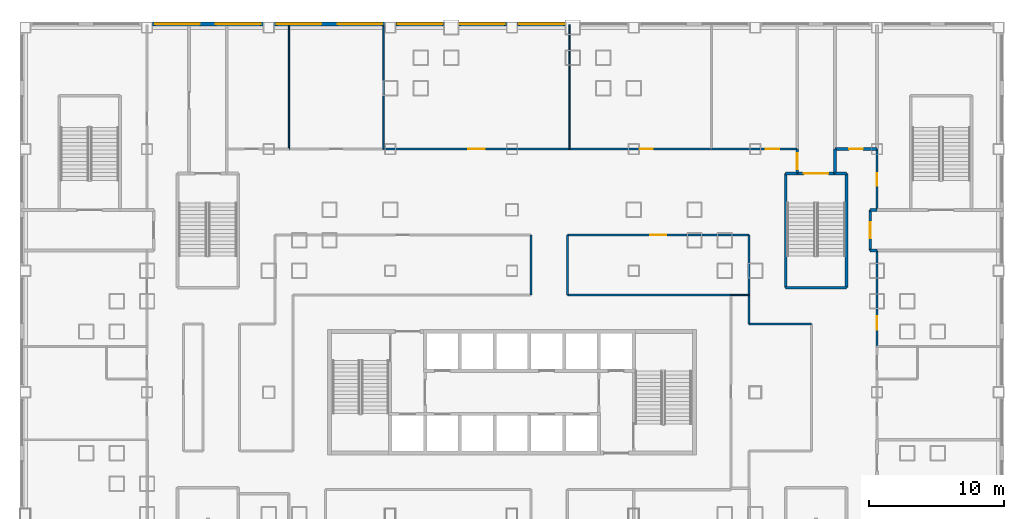
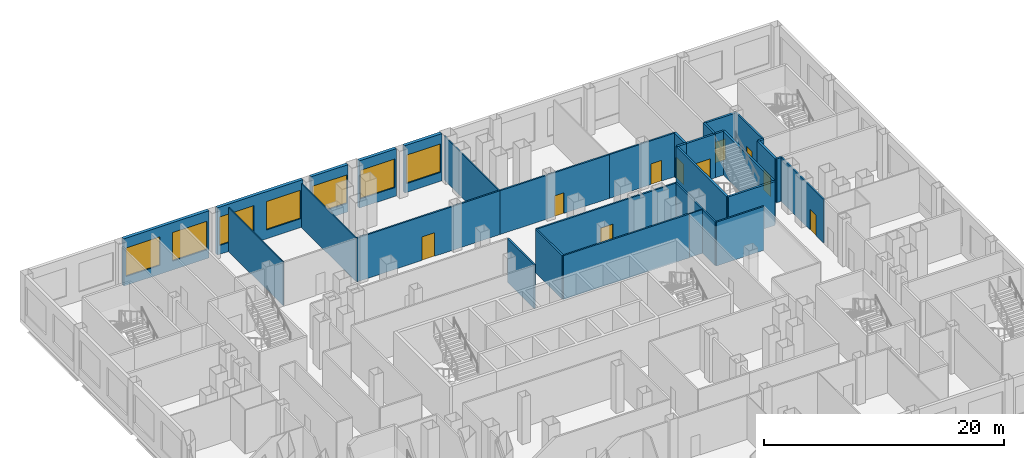
# One storey, part 7 of 23: 33 walls, 10 doors, 7 windows, 17 openings.
"""IFC4 building model written with IfcOpenShell, lengths in metres."""

from ifc_helpers import new_model, si_unit, direction, frame, frame_2d, origin, place, context, subcontext, project, spatial, rectangle, extrude, material, layer, layer_set, type_object, element, fill, save


model = new_model("IFC4")

# Units and contexts
model_context = context("Model", 3, precision=1e-05, world=origin(), true_north=direction((0.0, 1.0)))
body_context = subcontext(model_context, "Body", "Model", "MODEL_VIEW")
ifc_project = project(units=[si_unit("LENGTHUNIT", "METRE"), si_unit("AREAUNIT", "SQUARE_METRE"), si_unit("VOLUMEUNIT", "CUBIC_METRE"), si_unit("PLANEANGLEUNIT", "RADIAN"), si_unit("MASSUNIT", "GRAM", prefix="KILO")], contexts=[model_context])

# Site, building, storey
site_placement = place(None, origin())
site = spatial("IfcSite", under=ifc_project, at=site_placement, CompositionType="ELEMENT")
building_placement = place(site_placement, origin())
building = spatial("IfcBuilding", under=site, at=building_placement, Name="Caravel Reach Hotel and Residences", CompositionType="ELEMENT")
storey_placement = place(building_placement, frame((0.0, 0.0, 24.0)))
storey = spatial("IfcBuildingStorey", under=building, at=storey_placement, Name="L04", CompositionType="ELEMENT", Elevation=24.0)

# Walls
ifc_material_1 = material(Name="Autoclaved aerated block wall")
ifc_layer_1 = layer(ifc_material_1, 0.199951171875)
ifc_layer_set_1 = layer_set([ifc_layer_1], Name="Compartment wall 200 mm EI 120")
wall_type_1 = type_object("IfcWallType", Name="Compartment wall 200 mm EI 120", PredefinedType="PARTITIONING", material=ifc_layer_set_1)
for number, where, z_axis, x_axis, name in (
    (1, (58.0, 37.5, 0.0), (0.0, 0.0, 1.0), (1.0, 0.0, 0.0), "L04 wall w098"),
    (2, (58.0, 40.5, 0.0), (0.0, 0.0, 1.0), (1.0, 0.0, 0.0), "L04 wall w105"),
):
    element("IfcWall", number, at=place(storey_placement, frame(where, z_axis=z_axis, x_axis=x_axis)), inside=storey, type_object=wall_type_1, Name=name, PredefinedType="PARTITIONING", context=body_context, shape_type="SweptSolid", body=[
        extrude(rectangle(XDim=0.5, YDim=0.199951171875, at=frame_2d((0.25, 0.0))), origin(), (0.0, 0.0, 1.0), 4.449951171875),
    ])

# Wall, opening, door
wall_1_placement = place(storey_placement, frame((55.39990234375, 45.0, 0.0), z_axis=(0.0, 0.0, 1.0), x_axis=(1.0, 0.0, 0.0)))
wall_1 = element("IfcWall", 3, at=wall_1_placement, inside=storey, type_object=wall_type_1, Name="L04 wall w108", PredefinedType="PARTITIONING", context=body_context, shape_type="SweptSolid", body=[
    extrude(rectangle(XDim=3.10009765625, YDim=0.199951171875, at=frame_2d((1.550048828125, 0.0))), origin(), (0.0, 0.0, 1.0), 4.449951171875),
])
opening_1_placement = place(wall_1_placement, frame((1.050048828125, 0.0, 0.0)))
opening_1 = element("IfcOpeningElement", 4, at=opening_1_placement, cuts=wall_1, Name="Opening D04-055", PredefinedType="OPENING", context=body_context, shape_type="SweptSolid", body=[
    extrude(rectangle(XDim=1.0, YDim=2.10009765625, at=frame_2d((0.5, 1.050048828125))), frame((0.0, 0.10986328125, 0.0), z_axis=(0.0, -1.0, 0.0), x_axis=(1.0, 0.0, 0.0)), (0.0, 0.0, 1.0), 0.219970703125),
])
ifc_material_2 = material(Name="Steel fire door leaf", Category="steel")
door_type_1 = type_object("IfcDoorType", Name="Fire door 1000 x 2100 EI 60", OperationType="SINGLE_SWING_LEFT", PredefinedType="DOOR", material=ifc_material_2)
door_1_placement = place(opening_1_placement, origin())
door_1 = element("IfcDoor", 5, at=door_1_placement, inside=storey, type_object=door_type_1, Name="door D04-055", OperationType="SINGLE_SWING_LEFT", OverallHeight=2.10009765625, OverallWidth=1.0, PredefinedType="DOOR", context=body_context, shape_type="SweptSolid", body=[
    extrude(rectangle(XDim=1.0, YDim=2.10009765625, at=frame_2d((0.5, 1.050048828125))), frame((0.0, 0.02490234375, 0.0), z_axis=(0.0, -1.0, 0.0), x_axis=(1.0, 0.0, 0.0)), (0.0, 0.0, 1.0), 0.050048828125),
])
fill(opening_1, door_1)

wall_2_placement = place(storey_placement, frame((52.60009765625, 43.199951171875, 0.0), z_axis=(0.0, 0.0, 1.0), x_axis=(0.0, 1.0, 0.0)))
wall_2 = element("IfcWall", 6, at=wall_2_placement, inside=storey, type_object=wall_type_1, Name="L04 wall w116", PredefinedType="PARTITIONING", context=body_context, shape_type="SweptSolid", body=[
    extrude(rectangle(XDim=1.800048828125, YDim=0.199951171875, at=frame_2d((0.89990234375, 0.0))), origin(), (0.0, 0.0, 1.0), 4.449951171875),
])
opening_2_placement = place(wall_2_placement, frame((0.300048828125, 0.0, 0.0)))
opening_2 = element("IfcOpeningElement", 7, at=opening_2_placement, cuts=wall_2, Name="Opening D04-016", PredefinedType="OPENING", context=body_context, shape_type="SweptSolid", body=[
    extrude(rectangle(XDim=1.199951171875, YDim=2.10009765625, at=frame_2d((0.60009765625, 1.050048828125))), frame((0.0, 0.10986328125, 0.0), z_axis=(0.0, -1.0, 0.0), x_axis=(1.0, 0.0, 0.0)), (0.0, 0.0, 1.0), 0.219970703125),
])
ifc_material_3 = material(Name="Steel fire door leaf", Category="steel")
door_type_2 = type_object("IfcDoorType", Name="Fire lobby door 1200 x 2100 EI 90", OperationType="SINGLE_SWING_LEFT", PredefinedType="DOOR", material=ifc_material_3)
door_2_placement = place(opening_2_placement, origin())
door_2 = element("IfcDoor", 8, at=door_2_placement, inside=storey, type_object=door_type_2, Name="door D04-016", OperationType="SINGLE_SWING_LEFT", OverallHeight=2.10009765625, OverallWidth=1.199951171875, PredefinedType="DOOR", context=body_context, shape_type="SweptSolid", body=[
    extrude(rectangle(XDim=1.199951171875, YDim=2.10009765625, at=frame_2d((0.60009765625, 1.050048828125))), frame((0.0, 0.02490234375, 0.0), z_axis=(0.0, -1.0, 0.0), x_axis=(1.0, 0.0, 0.0)), (0.0, 0.0, 1.0), 0.050048828125),
])
fill(opening_2, door_2)

# Wall
wall_3_placement = place(storey_placement, frame((55.39990234375, 43.199951171875, 0.0), z_axis=(0.0, 0.0, 1.0), x_axis=(0.0, 1.0, 0.0)))
element("IfcWall", 9, at=wall_3_placement, inside=storey, type_object=wall_type_1, Name="L04 wall w120", PredefinedType="PARTITIONING", context=body_context, shape_type="SweptSolid", body=[
    extrude(rectangle(XDim=1.800048828125, YDim=0.199951171875, at=frame_2d((0.89990234375, 0.0))), origin(), (0.0, 0.0, 1.0), 4.449951171875),
])

# Wall, opening, door
wall_4_placement = place(storey_placement, frame((58.0, 37.5, 0.0), z_axis=(0.0, 0.0, 1.0), x_axis=(0.0, 1.0, 0.0)))
wall_4 = element("IfcWall", 10, at=wall_4_placement, inside=storey, type_object=wall_type_1, Name="L04 wall w124", PredefinedType="PARTITIONING", context=body_context, shape_type="SweptSolid", body=[
    extrude(rectangle(XDim=3.0, YDim=0.199951171875, at=frame_2d((1.5, 0.0))), origin(), (0.0, 0.0, 1.0), 4.449951171875),
])
opening_3_placement = place(wall_4_placement, frame((0.89990234375, 0.0, 0.0)))
opening_3 = element("IfcOpeningElement", 11, at=opening_3_placement, cuts=wall_4, Name="Opening D04-024", PredefinedType="OPENING", context=body_context, shape_type="SweptSolid", body=[
    extrude(rectangle(XDim=1.199951171875, YDim=2.10009765625, at=frame_2d((0.60009765625, 1.050048828125))), frame((0.0, 0.10986328125, 0.0), z_axis=(0.0, -1.0, 0.0), x_axis=(1.0, 0.0, 0.0)), (0.0, 0.0, 1.0), 0.219970703125),
])
door_3_placement = place(opening_3_placement, origin())
door_3 = element("IfcDoor", 12, at=door_3_placement, inside=storey, type_object=door_type_2, Name="door D04-024", OperationType="SINGLE_SWING_RIGHT", OverallHeight=2.10009765625, OverallWidth=1.199951171875, PredefinedType="DOOR", context=body_context, shape_type="SweptSolid", body=[
    extrude(rectangle(XDim=1.199951171875, YDim=2.10009765625, at=frame_2d((0.60009765625, 1.050048828125))), frame((0.0, 0.02490234375, 0.0), z_axis=(0.0, -1.0, 0.0), x_axis=(1.0, 0.0, 0.0)), (0.0, 0.0, 1.0), 0.050048828125),
])
fill(opening_3, door_3)

# Walls
ifc_material_4 = material(Name="Gypsum board on steel stud, fire-rated", Category="steel")
ifc_layer_2 = layer(ifc_material_4, 0.14990234375)
ifc_layer_set_2 = layer_set([ifc_layer_2], Name="Corridor wall 150 mm EI 60")
wall_type_2 = type_object("IfcWallType", Name="Corridor wall 150 mm EI 60", PredefinedType="PARTITIONING", material=ifc_layer_set_2)
wall_5_placement = place(storey_placement, frame((49.050048828125, 32.050048828125, 0.0), z_axis=(0.0, 0.0, 1.0), x_axis=(1.0, 0.0, 0.0)))
element("IfcWall", 13, at=wall_5_placement, inside=storey, type_object=wall_type_2, Name="L04 wall w010", PredefinedType="PARTITIONING", context=body_context, shape_type="SweptSolid", body=[
    extrude(rectangle(XDim=4.599853515625, YDim=0.14990234375, at=frame_2d((2.2998046875, 0.0))), origin(), (0.0, 0.0, 1.0), 4.449951171875),
])
wall_6_placement = place(storey_placement, frame((35.60009765625, 34.199951171875, 0.0), z_axis=(0.0, 0.0, 1.0), x_axis=(1.0, 0.0, 0.0)))
element("IfcWall", 14, at=wall_6_placement, inside=storey, type_object=wall_type_2, Name="L04 wall w013", PredefinedType="PARTITIONING", context=body_context, shape_type="SweptSolid", body=[
    extrude(rectangle(XDim=12.099853515625, YDim=0.14990234375, at=frame_2d((6.0498046875, 0.0))), origin(), (0.0, 0.0, 1.0), 4.449951171875),
])

# Wall, opening, door
wall_7_placement = place(storey_placement, frame((35.60009765625, 38.64990234375, 0.0), z_axis=(0.0, 0.0, 1.0), x_axis=(1.0, 0.0, 0.0)))
wall_7 = element("IfcWall", 15, at=wall_7_placement, inside=storey, type_object=wall_type_2, Name="L04 wall w015", PredefinedType="PARTITIONING", context=body_context, shape_type="SweptSolid", body=[
    extrude(rectangle(XDim=13.449951171875, YDim=0.14990234375, at=frame_2d((6.72509765625, 0.0))), origin(), (0.0, 0.0, 1.0), 4.449951171875),
])
opening_4_placement = place(wall_7_placement, frame((6.125, 0.0, 0.0)))
opening_4 = element("IfcOpeningElement", 16, at=opening_4_placement, cuts=wall_7, Name="Opening D04-059", PredefinedType="OPENING", context=body_context, shape_type="SweptSolid", body=[
    extrude(rectangle(XDim=1.199951171875, YDim=2.39990234375, at=frame_2d((0.60009765625, 1.199951171875))), frame((0.0, 0.0849609375, 0.0), z_axis=(0.0, -1.0, 0.0), x_axis=(1.0, 0.0, 0.0)), (0.0, 0.0, 1.0), 0.169921875),
])
ifc_material_5 = material(Name="Timber and steel door leaf", Category="steel")
door_type_3 = type_object("IfcDoorType", Name="Glazed door 1200 x 2400", OperationType="SINGLE_SWING_LEFT", PredefinedType="DOOR", material=ifc_material_5)
door_4_placement = place(opening_4_placement, origin())
door_4 = element("IfcDoor", 17, at=door_4_placement, inside=storey, type_object=door_type_3, Name="door D04-059", OperationType="SINGLE_SWING_RIGHT", OverallHeight=2.39990234375, OverallWidth=1.199951171875, PredefinedType="DOOR", context=body_context, shape_type="SweptSolid", body=[
    extrude(rectangle(XDim=1.199951171875, YDim=2.39990234375, at=frame_2d((0.60009765625, 1.199951171875))), frame((0.0, 0.02490234375, 0.0), z_axis=(0.0, -1.0, 0.0), x_axis=(1.0, 0.0, 0.0)), (0.0, 0.0, 1.0), 0.050048828125),
])
fill(opening_4, door_4)

wall_8_placement = place(storey_placement, frame((22.0, 45.0, 0.0), z_axis=(0.0, 0.0, 1.0), x_axis=(1.0, 0.0, 0.0)))
wall_8 = element("IfcWall", 18, at=wall_8_placement, inside=storey, type_object=wall_type_2, Name="L04 wall w019", PredefinedType="PARTITIONING", context=body_context, shape_type="SweptSolid", body=[
    extrude(rectangle(XDim=13.75, YDim=0.14990234375, at=frame_2d((6.875, 0.0))), origin(), (0.0, 0.0, 1.0), 4.449951171875),
])
opening_5_placement = place(wall_8_placement, frame((6.27490234375, 0.0, 0.0)))
opening_5 = element("IfcOpeningElement", 19, at=opening_5_placement, cuts=wall_8, Name="Opening D04-052", PredefinedType="OPENING", context=body_context, shape_type="SweptSolid", body=[
    extrude(rectangle(XDim=1.199951171875, YDim=2.39990234375, at=frame_2d((0.60009765625, 1.199951171875))), frame((0.0, 0.0849609375, 0.0), z_axis=(0.0, -1.0, 0.0), x_axis=(1.0, 0.0, 0.0)), (0.0, 0.0, 1.0), 0.169921875),
])
door_5_placement = place(opening_5_placement, origin())
door_5 = element("IfcDoor", 20, at=door_5_placement, inside=storey, type_object=door_type_3, Name="door D04-052", OperationType="SINGLE_SWING_LEFT", OverallHeight=2.39990234375, OverallWidth=1.199951171875, PredefinedType="DOOR", context=body_context, shape_type="SweptSolid", body=[
    extrude(rectangle(XDim=1.199951171875, YDim=2.39990234375, at=frame_2d((0.60009765625, 1.199951171875))), frame((0.0, 0.02490234375, 0.0), z_axis=(0.0, -1.0, 0.0), x_axis=(1.0, 0.0, 0.0)), (0.0, 0.0, 1.0), 0.050048828125),
])
fill(opening_5, door_5)

wall_9_placement = place(storey_placement, frame((35.75, 45.0, 0.0), z_axis=(0.0, 0.0, 1.0), x_axis=(1.0, 0.0, 0.0)))
wall_9 = element("IfcWall", 21, at=wall_9_placement, inside=storey, type_object=wall_type_2, Name="L04 wall w020", PredefinedType="PARTITIONING", context=body_context, shape_type="SweptSolid", body=[
    extrude(rectangle(XDim=10.5, YDim=0.14990234375, at=frame_2d((5.25, 0.0))), origin(), (0.0, 0.0, 1.0), 4.449951171875),
])
opening_6_placement = place(wall_9_placement, frame((5.25, 0.0, 0.0)))
opening_6 = element("IfcOpeningElement", 22, at=opening_6_placement, cuts=wall_9, Name="Opening D04-053", PredefinedType="OPENING", context=body_context, shape_type="SweptSolid", body=[
    extrude(rectangle(XDim=0.89990234375, YDim=2.10009765625, at=frame_2d((0.449951171875, 1.050048828125))), frame((0.0, 0.0849609375, 0.0), z_axis=(0.0, -1.0, 0.0), x_axis=(1.0, 0.0, 0.0)), (0.0, 0.0, 1.0), 0.169921875),
])
ifc_material_6 = material(Name="Timber and steel door leaf", Category="steel")
door_type_4 = type_object("IfcDoorType", Name="Door 900 x 2100 timber", OperationType="SINGLE_SWING_LEFT", PredefinedType="DOOR", material=ifc_material_6)
door_6_placement = place(opening_6_placement, origin())
door_6 = element("IfcDoor", 23, at=door_6_placement, inside=storey, type_object=door_type_4, Name="door D04-053", OperationType="SINGLE_SWING_RIGHT", OverallHeight=2.10009765625, OverallWidth=0.89990234375, PredefinedType="DOOR", context=body_context, shape_type="SweptSolid", body=[
    extrude(rectangle(XDim=0.89990234375, YDim=2.10009765625, at=frame_2d((0.449951171875, 1.050048828125))), frame((0.0, 0.02490234375, 0.0), z_axis=(0.0, -1.0, 0.0), x_axis=(1.0, 0.0, 0.0)), (0.0, 0.0, 1.0), 0.050048828125),
])
fill(opening_6, door_6)

wall_10_placement = place(storey_placement, frame((46.25, 45.0, 0.0), z_axis=(0.0, 0.0, 1.0), x_axis=(1.0, 0.0, 0.0)))
wall_10 = element("IfcWall", 24, at=wall_10_placement, inside=storey, type_object=wall_type_2, Name="L04 wall w021", PredefinedType="PARTITIONING", context=body_context, shape_type="SweptSolid", body=[
    extrude(rectangle(XDim=6.35009765625, YDim=0.14990234375, at=frame_2d((3.175048828125, 0.0))), origin(), (0.0, 0.0, 1.0), 4.449951171875),
])
opening_7_placement = place(wall_10_placement, frame((4.02490234375, 0.0, 0.0)))
opening_7 = element("IfcOpeningElement", 25, at=opening_7_placement, cuts=wall_10, Name="Opening D04-054", PredefinedType="OPENING", context=body_context, shape_type="SweptSolid", body=[
    extrude(rectangle(XDim=1.0, YDim=2.10009765625, at=frame_2d((0.5, 1.050048828125))), frame((0.0, 0.0849609375, 0.0), z_axis=(0.0, -1.0, 0.0), x_axis=(1.0, 0.0, 0.0)), (0.0, 0.0, 1.0), 0.169921875),
])
door_7_placement = place(opening_7_placement, origin())
door_7 = element("IfcDoor", 26, at=door_7_placement, inside=storey, type_object=door_type_1, Name="door D04-054", OperationType="SINGLE_SWING_RIGHT", OverallHeight=2.10009765625, OverallWidth=1.0, PredefinedType="DOOR", context=body_context, shape_type="SweptSolid", body=[
    extrude(rectangle(XDim=1.0, YDim=2.10009765625, at=frame_2d((0.5, 1.050048828125))), frame((0.0, 0.02490234375, 0.0), z_axis=(0.0, -1.0, 0.0), x_axis=(1.0, 0.0, 0.0)), (0.0, 0.0, 1.0), 0.050048828125),
])
fill(opening_7, door_7)

# Walls
for number, where, z_axis, x_axis, name in (
    (27, (32.89990234375, 34.199951171875, 0.0), (0.0, 0.0, 1.0), (0.0, 1.0, 0.0), "L04 wall w039"),
    (28, (35.60009765625, 34.199951171875, 0.0), (0.0, 0.0, 1.0), (0.0, 1.0, 0.0), "L04 wall w042"),
    (29, (49.050048828125, 34.199951171875, 0.0), (0.0, 0.0, 1.0), (0.0, 1.0, 0.0), "L04 wall w050"),
):
    element("IfcWall", number, at=place(storey_placement, frame(where, z_axis=z_axis, x_axis=x_axis)), inside=storey, type_object=wall_type_2, Name=name, PredefinedType="PARTITIONING", context=body_context, shape_type="SweptSolid", body=[
        extrude(rectangle(XDim=4.449951171875, YDim=0.14990234375, at=frame_2d((2.22509765625, 0.0))), origin(), (0.0, 0.0, 1.0), 4.449951171875),
    ])
wall_11_placement = place(storey_placement, frame((49.050048828125, 32.050048828125, 0.0), z_axis=(0.0, 0.0, 1.0), x_axis=(0.0, 1.0, 0.0)))
element("IfcWall", 30, at=wall_11_placement, inside=storey, type_object=wall_type_2, Name="L04 wall w052", PredefinedType="PARTITIONING", context=body_context, shape_type="SweptSolid", body=[
    extrude(rectangle(XDim=2.14990234375, YDim=0.14990234375, at=frame_2d((1.074951171875, 0.0))), origin(), (0.0, 0.0, 1.0), 4.449951171875),
])

# Wall, opening, door
wall_12_placement = place(storey_placement, frame((58.5, 30.39990234375, 0.0), z_axis=(0.0, 0.0, 1.0), x_axis=(0.0, 1.0, 0.0)))
wall_12 = element("IfcWall", 31, at=wall_12_placement, inside=storey, type_object=wall_type_2, Name="L04 wall w057", PredefinedType="PARTITIONING", context=body_context, shape_type="SweptSolid", body=[
    extrude(rectangle(XDim=7.10009765625, YDim=0.14990234375, at=frame_2d((3.550048828125, 0.0))), origin(), (0.0, 0.0, 1.0), 4.449951171875),
])
opening_8_placement = place(wall_12_placement, frame((1.25, 0.0, 0.0)))
opening_8 = element("IfcOpeningElement", 32, at=opening_8_placement, cuts=wall_12, Name="Opening D04-038", PredefinedType="OPENING", context=body_context, shape_type="SweptSolid", body=[
    extrude(rectangle(XDim=1.0, YDim=2.10009765625, at=frame_2d((0.5, 1.050048828125))), frame((0.0, 0.0849609375, 0.0), z_axis=(0.0, -1.0, 0.0), x_axis=(1.0, 0.0, 0.0)), (0.0, 0.0, 1.0), 0.169921875),
])
door_8_placement = place(opening_8_placement, origin())
door_8 = element("IfcDoor", 33, at=door_8_placement, inside=storey, type_object=door_type_1, Name="door D04-038", OperationType="SINGLE_SWING_LEFT", OverallHeight=2.10009765625, OverallWidth=1.0, PredefinedType="DOOR", context=body_context, shape_type="SweptSolid", body=[
    extrude(rectangle(XDim=1.0, YDim=2.10009765625, at=frame_2d((0.5, 1.050048828125))), frame((0.0, 0.02490234375, 0.0), z_axis=(0.0, -1.0, 0.0), x_axis=(1.0, 0.0, 0.0)), (0.0, 0.0, 1.0), 0.050048828125),
])
fill(opening_8, door_8)

wall_13_placement = place(storey_placement, frame((58.5, 40.5, 0.0), z_axis=(0.0, 0.0, 1.0), x_axis=(0.0, 1.0, 0.0)))
wall_13 = element("IfcWall", 34, at=wall_13_placement, inside=storey, type_object=wall_type_2, Name="L04 wall w058", PredefinedType="PARTITIONING", context=body_context, shape_type="SweptSolid", body=[
    extrude(rectangle(XDim=4.5, YDim=0.14990234375, at=frame_2d((2.25, 0.0))), origin(), (0.0, 0.0, 1.0), 4.449951171875),
])
opening_9_placement = place(wall_13_placement, frame((1.800048828125, 0.0, 0.0)))
opening_9 = element("IfcOpeningElement", 35, at=opening_9_placement, cuts=wall_13, Name="Opening D04-039", PredefinedType="OPENING", context=body_context, shape_type="SweptSolid", body=[
    extrude(rectangle(XDim=0.89990234375, YDim=2.10009765625, at=frame_2d((0.449951171875, 1.050048828125))), frame((0.0, 0.0849609375, 0.0), z_axis=(0.0, -1.0, 0.0), x_axis=(1.0, 0.0, 0.0)), (0.0, 0.0, 1.0), 0.169921875),
])
door_9_placement = place(opening_9_placement, origin())
door_9 = element("IfcDoor", 36, at=door_9_placement, inside=storey, type_object=door_type_4, Name="door D04-039", OperationType="SINGLE_SWING_LEFT", OverallHeight=2.10009765625, OverallWidth=0.89990234375, PredefinedType="DOOR", context=body_context, shape_type="SweptSolid", body=[
    extrude(rectangle(XDim=0.89990234375, YDim=2.10009765625, at=frame_2d((0.449951171875, 1.050048828125))), frame((0.0, 0.02490234375, 0.0), z_axis=(0.0, -1.0, 0.0), x_axis=(1.0, 0.0, 0.0)), (0.0, 0.0, 1.0), 0.050048828125),
])
fill(opening_9, door_9)

# Wall, opening, window
ifc_material_7 = material(Name="Insulated wall, stone cladding", Category="masonry")
ifc_layer_3 = layer(ifc_material_7, 0.300048828125)
ifc_layer_set_3 = layer_set([ifc_layer_3], Name="EW2 Podium stone-clad wall")
wall_type_3 = type_object("IfcWallType", Name="EW2 Podium stone-clad wall", PredefinedType="SOLIDWALL", material=ifc_layer_set_3)
wall_14_placement = place(storey_placement, frame((35.449951171875, 54.25, 0.0), z_axis=(0.0, 0.0, 1.0), x_axis=(-1.0, 0.0, 0.0)))
wall_14 = element("IfcWall", 37, at=wall_14_placement, inside=storey, type_object=wall_type_3, Name="External wall L04 N2.5", PredefinedType="SOLIDWALL", context=body_context, shape_type="SweptSolid", body=[
    extrude(rectangle(XDim=3.550048828125, YDim=0.300048828125, at=frame_2d((1.77490234375, 0.0))), origin(), (0.0, 0.0, 1.0), 4.800048828125),
])
opening_10_placement = place(wall_14_placement, frame((0.10009765625, 0.0, 0.89990234375)))
opening_10 = element("IfcOpeningElement", 38, at=opening_10_placement, cuts=wall_14, Name="Opening WN32", PredefinedType="OPENING", context=body_context, shape_type="SweptSolid", body=[
    extrude(rectangle(XDim=3.300048828125, YDim=2.89990234375, at=frame_2d((1.64990234375, 1.449951171875))), frame((0.0, 0.159912109375, 0.0), z_axis=(0.0, -1.0, 0.0), x_axis=(1.0, 0.0, 0.0)), (0.0, 0.0, 1.0), 0.320068359375),
])
ifc_material_8 = material(Name="Dark low-e glazing in black aluminium frame", Category="aluminium")
window_type = type_object("IfcWindowType", Name="Podium window 3300 x 2900", PartitioningType="SINGLE_PANEL", PredefinedType="WINDOW", material=ifc_material_8)
window_1_placement = place(opening_10_placement, origin())
window_1 = element("IfcWindow", 39, at=window_1_placement, inside=storey, type_object=window_type, Name="Window L04 N2.5.1", OverallHeight=2.89990234375, OverallWidth=3.300048828125, PartitioningType="SINGLE_PANEL", PredefinedType="WINDOW", context=body_context, shape_type="SweptSolid", body=[
    extrude(rectangle(XDim=3.300048828125, YDim=2.89990234375, at=frame_2d((1.64990234375, 1.449951171875))), frame((0.0, 0.030029296875, 0.0), z_axis=(0.0, -1.0, 0.0), x_axis=(1.0, 0.0, 0.0)), (0.0, 0.0, 1.0), 0.06005859375),
])
fill(opening_10, window_1)

wall_15_placement = place(storey_placement, frame((31.10009765625, 54.25, 0.0), z_axis=(0.0, 0.0, 1.0), x_axis=(-1.0, 0.0, 0.0)))
wall_15 = element("IfcWall", 40, at=wall_15_placement, inside=storey, type_object=wall_type_3, Name="External wall L04 N2.6", PredefinedType="SOLIDWALL", context=body_context, shape_type="SweptSolid", body=[
    extrude(rectangle(XDim=3.550048828125, YDim=0.300048828125, at=frame_2d((1.77490234375, 0.0))), origin(), (0.0, 0.0, 1.0), 4.800048828125),
])
opening_11_placement = place(wall_15_placement, frame((0.14990234375, 0.0, 0.89990234375)))
opening_11 = element("IfcOpeningElement", 41, at=opening_11_placement, cuts=wall_15, Name="Opening WN32", PredefinedType="OPENING", context=body_context, shape_type="SweptSolid", body=[
    extrude(rectangle(XDim=3.300048828125, YDim=2.89990234375, at=frame_2d((1.64990234375, 1.449951171875))), frame((0.0, 0.159912109375, 0.0), z_axis=(0.0, -1.0, 0.0), x_axis=(1.0, 0.0, 0.0)), (0.0, 0.0, 1.0), 0.320068359375),
])
window_2_placement = place(opening_11_placement, origin())
window_2 = element("IfcWindow", 42, at=window_2_placement, inside=storey, type_object=window_type, Name="Window L04 N2.6.1", OverallHeight=2.89990234375, OverallWidth=3.300048828125, PartitioningType="SINGLE_PANEL", PredefinedType="WINDOW", context=body_context, shape_type="SweptSolid", body=[
    extrude(rectangle(XDim=3.300048828125, YDim=2.89990234375, at=frame_2d((1.64990234375, 1.449951171875))), frame((0.0, 0.030029296875, 0.0), z_axis=(0.0, -1.0, 0.0), x_axis=(1.0, 0.0, 0.0)), (0.0, 0.0, 1.0), 0.06005859375),
])
fill(opening_11, window_2)

wall_16_placement = place(storey_placement, frame((26.449951171875, 54.25, 0.0), z_axis=(0.0, 0.0, 1.0), x_axis=(-1.0, 0.0, 0.0)))
wall_16 = element("IfcWall", 43, at=wall_16_placement, inside=storey, type_object=wall_type_3, Name="External wall L04 N2.7", PredefinedType="SOLIDWALL", context=body_context, shape_type="SweptSolid", body=[
    extrude(rectangle(XDim=3.550048828125, YDim=0.300048828125, at=frame_2d((1.77490234375, 0.0))), origin(), (0.0, 0.0, 1.0), 4.800048828125),
])
opening_12_placement = place(wall_16_placement, frame((0.10009765625, 0.0, 0.89990234375)))
opening_12 = element("IfcOpeningElement", 44, at=opening_12_placement, cuts=wall_16, Name="Opening WN32", PredefinedType="OPENING", context=body_context, shape_type="SweptSolid", body=[
    extrude(rectangle(XDim=3.300048828125, YDim=2.89990234375, at=frame_2d((1.64990234375, 1.449951171875))), frame((0.0, 0.159912109375, 0.0), z_axis=(0.0, -1.0, 0.0), x_axis=(1.0, 0.0, 0.0)), (0.0, 0.0, 1.0), 0.320068359375),
])
window_3_placement = place(opening_12_placement, origin())
window_3 = element("IfcWindow", 45, at=window_3_placement, inside=storey, type_object=window_type, Name="Window L04 N2.7.1", OverallHeight=2.89990234375, OverallWidth=3.300048828125, PartitioningType="SINGLE_PANEL", PredefinedType="WINDOW", context=body_context, shape_type="SweptSolid", body=[
    extrude(rectangle(XDim=3.300048828125, YDim=2.89990234375, at=frame_2d((1.64990234375, 1.449951171875))), frame((0.0, 0.030029296875, 0.0), z_axis=(0.0, -1.0, 0.0), x_axis=(1.0, 0.0, 0.0)), (0.0, 0.0, 1.0), 0.06005859375),
])
fill(opening_12, window_3)

# Wall, openings, windows
wall_17_placement = place(storey_placement, frame((22.10009765625, 54.25, 0.0), z_axis=(0.0, 0.0, 1.0), x_axis=(-1.0, 0.0, 0.0)))
wall_17 = element("IfcWall", 46, at=wall_17_placement, inside=storey, type_object=wall_type_3, Name="External wall L04 N2.8", PredefinedType="SOLIDWALL", context=body_context, shape_type="SweptSolid", body=[
    extrude(rectangle(XDim=8.2001953125, YDim=0.300048828125, at=frame_2d((4.10009765625, 0.0))), origin(), (0.0, 0.0, 1.0), 4.800048828125),
])
opening_13_placement = place(wall_17_placement, frame((0.199951171875, 0.0, 0.89990234375)))
opening_13 = element("IfcOpeningElement", 47, at=opening_13_placement, cuts=wall_17, Name="Opening WN32", PredefinedType="OPENING", context=body_context, shape_type="SweptSolid", body=[
    extrude(rectangle(XDim=3.300048828125, YDim=2.89990234375, at=frame_2d((1.64990234375, 1.449951171875))), frame((0.0, 0.159912109375, 0.0), z_axis=(0.0, -1.0, 0.0), x_axis=(1.0, 0.0, 0.0)), (0.0, 0.0, 1.0), 0.320068359375),
])
opening_14_placement = place(wall_17_placement, frame((4.699951171875, 0.0, 0.89990234375)))
opening_14 = element("IfcOpeningElement", 48, at=opening_14_placement, cuts=wall_17, Name="Opening WN32", PredefinedType="OPENING", context=body_context, shape_type="SweptSolid", body=[
    extrude(rectangle(XDim=3.300048828125, YDim=2.89990234375, at=frame_2d((1.64990234375, 1.449951171875))), frame((0.0, 0.159912109375, 0.0), z_axis=(0.0, -1.0, 0.0), x_axis=(1.0, 0.0, 0.0)), (0.0, 0.0, 1.0), 0.320068359375),
])
window_4_placement = place(opening_13_placement, origin())
window_4 = element("IfcWindow", 49, at=window_4_placement, inside=storey, type_object=window_type, Name="Window L04 N2.8.1", OverallHeight=2.89990234375, OverallWidth=3.300048828125, PartitioningType="SINGLE_PANEL", PredefinedType="WINDOW", context=body_context, shape_type="SweptSolid", body=[
    extrude(rectangle(XDim=3.300048828125, YDim=2.89990234375, at=frame_2d((1.64990234375, 1.449951171875))), frame((0.0, 0.030029296875, 0.0), z_axis=(0.0, -1.0, 0.0), x_axis=(1.0, 0.0, 0.0)), (0.0, 0.0, 1.0), 0.06005859375),
])
fill(opening_13, window_4)
window_5_placement = place(opening_14_placement, origin())
window_5 = element("IfcWindow", 50, at=window_5_placement, inside=storey, type_object=window_type, Name="Window L04 N2.8.2", OverallHeight=2.89990234375, OverallWidth=3.300048828125, PartitioningType="SINGLE_PANEL", PredefinedType="WINDOW", context=body_context, shape_type="SweptSolid", body=[
    extrude(rectangle(XDim=3.300048828125, YDim=2.89990234375, at=frame_2d((1.64990234375, 1.449951171875))), frame((0.0, 0.030029296875, 0.0), z_axis=(0.0, -1.0, 0.0), x_axis=(1.0, 0.0, 0.0)), (0.0, 0.0, 1.0), 0.06005859375),
])
fill(opening_14, window_5)

wall_18_placement = place(storey_placement, frame((13.10009765625, 54.25, 0.0), z_axis=(0.0, 0.0, 1.0), x_axis=(-1.0, 0.0, 0.0)))
wall_18 = element("IfcWall", 51, at=wall_18_placement, inside=storey, type_object=wall_type_3, Name="External wall L04 N2.9", PredefinedType="SOLIDWALL", context=body_context, shape_type="SweptSolid", body=[
    extrude(rectangle(XDim=8.2001953125, YDim=0.300048828125, at=frame_2d((4.10009765625, 0.0))), origin(), (0.0, 0.0, 1.0), 4.800048828125),
])
opening_15_placement = place(wall_18_placement, frame((0.199951171875, 0.0, 0.89990234375)))
opening_15 = element("IfcOpeningElement", 52, at=opening_15_placement, cuts=wall_18, Name="Opening WN32", PredefinedType="OPENING", context=body_context, shape_type="SweptSolid", body=[
    extrude(rectangle(XDim=3.300048828125, YDim=2.89990234375, at=frame_2d((1.64990234375, 1.449951171875))), frame((0.0, 0.159912109375, 0.0), z_axis=(0.0, -1.0, 0.0), x_axis=(1.0, 0.0, 0.0)), (0.0, 0.0, 1.0), 0.320068359375),
])
opening_16_placement = place(wall_18_placement, frame((4.699951171875, 0.0, 0.89990234375)))
opening_16 = element("IfcOpeningElement", 53, at=opening_16_placement, cuts=wall_18, Name="Opening WN32", PredefinedType="OPENING", context=body_context, shape_type="SweptSolid", body=[
    extrude(rectangle(XDim=3.300048828125, YDim=2.89990234375, at=frame_2d((1.64990234375, 1.449951171875))), frame((0.0, 0.159912109375, 0.0), z_axis=(0.0, -1.0, 0.0), x_axis=(1.0, 0.0, 0.0)), (0.0, 0.0, 1.0), 0.320068359375),
])
window_6_placement = place(opening_15_placement, origin())
window_6 = element("IfcWindow", 54, at=window_6_placement, inside=storey, type_object=window_type, Name="Window L04 N2.9.1", OverallHeight=2.89990234375, OverallWidth=3.300048828125, PartitioningType="SINGLE_PANEL", PredefinedType="WINDOW", context=body_context, shape_type="SweptSolid", body=[
    extrude(rectangle(XDim=3.300048828125, YDim=2.89990234375, at=frame_2d((1.64990234375, 1.449951171875))), frame((0.0, 0.030029296875, 0.0), z_axis=(0.0, -1.0, 0.0), x_axis=(1.0, 0.0, 0.0)), (0.0, 0.0, 1.0), 0.06005859375),
])
fill(opening_15, window_6)
window_7_placement = place(opening_16_placement, origin())
window_7 = element("IfcWindow", 55, at=window_7_placement, inside=storey, type_object=window_type, Name="Window L04 N2.9.2", OverallHeight=2.89990234375, OverallWidth=3.300048828125, PartitioningType="SINGLE_PANEL", PredefinedType="WINDOW", context=body_context, shape_type="SweptSolid", body=[
    extrude(rectangle(XDim=3.300048828125, YDim=2.89990234375, at=frame_2d((1.64990234375, 1.449951171875))), frame((0.0, 0.030029296875, 0.0), z_axis=(0.0, -1.0, 0.0), x_axis=(1.0, 0.0, 0.0)), (0.0, 0.0, 1.0), 0.06005859375),
])
fill(opening_16, window_7)

# Walls
ifc_material_9 = material(Name="Gypsum board on steel stud", Category="steel")
ifc_layer_4 = layer(ifc_material_9, 0.10009765625)
ifc_layer_set_4 = layer_set([ifc_layer_4], Name="Partition 100 mm")
wall_type_4 = type_object("IfcWallType", Name="Partition 100 mm", PredefinedType="PARTITIONING", material=ifc_layer_set_4)
wall_19_placement = place(storey_placement, frame((47.699951171875, 34.199951171875, 0.0), z_axis=(0.0, 0.0, 1.0), x_axis=(1.0, 0.0, 0.0)))
element("IfcWall", 56, at=wall_19_placement, inside=storey, type_object=wall_type_4, Name="L04 wall w069", PredefinedType="PARTITIONING", context=body_context, shape_type="SweptSolid", body=[
    extrude(rectangle(XDim=1.35009765625, YDim=0.10009765625, at=frame_2d((0.675048828125, 0.0))), origin(), (0.0, 0.0, 1.0), 4.449951171875),
])
for number, where, z_axis, x_axis, name in (
    (57, (15.0, 45.0, 0.0), (0.0, 0.0, 1.0), (0.0, 1.0, 0.0), "L04 wall w073"),
    (58, (22.0, 45.0, 0.0), (0.0, 0.0, 1.0), (0.0, 1.0, 0.0), "L04 wall w076"),
):
    element("IfcWall", number, at=place(storey_placement, frame(where, z_axis=z_axis, x_axis=x_axis)), inside=storey, type_object=wall_type_4, Name=name, PredefinedType="PARTITIONING", context=body_context, shape_type="SweptSolid", body=[
        extrude(rectangle(XDim=9.1201171875, YDim=0.10009765625, at=frame_2d((4.56005859375, 0.0))), origin(), (0.0, 0.0, 1.0), 4.449951171875),
    ])
wall_20_placement = place(storey_placement, frame((35.75, 45.0, 0.0), z_axis=(0.0, 0.0, 1.0), x_axis=(0.0, 1.0, 0.0)))
element("IfcWall", 59, at=wall_20_placement, inside=storey, type_object=wall_type_4, Name="L04 wall w079", PredefinedType="PARTITIONING", context=body_context, shape_type="SweptSolid", body=[
    extrude(rectangle(XDim=9.18994140625, YDim=0.10009765625, at=frame_2d((4.594970703125, 0.0))), origin(), (0.0, 0.0, 1.0), 4.449951171875),
])
ifc_material_10 = material(Name="Concrete C60", Category="concrete")
ifc_layer_5 = layer(ifc_material_10, 0.199951171875)
ifc_layer_set_5 = layer_set([ifc_layer_5], Name="Stair enclosure wall 200 mm EI 120")
wall_type_5 = type_object("IfcWallType", Name="Stair enclosure wall 200 mm EI 120", PredefinedType="SHEAR", material=ifc_layer_set_5)
wall_21_placement = place(storey_placement, frame((51.75, 34.75, 0.0), z_axis=(0.0, 0.0, 1.0), x_axis=(1.0, 0.0, 0.0)))
element("IfcWall", 60, at=wall_21_placement, inside=storey, type_object=wall_type_5, Name="L04 wall w141", PredefinedType="SHEAR", context=body_context, shape_type="SweptSolid", body=[
    extrude(rectangle(XDim=4.5, YDim=0.199951171875, at=frame_2d((2.25, 0.0))), origin(), (0.0, 0.0, 1.0), 4.449951171875),
])
for number, where, z_axis, x_axis, name in (
    (61, (51.75, 43.199951171875, 0.0), (0.0, 0.0, 1.0), (1.0, 0.0, 0.0), "L04 wall w147"),
    (62, (55.39990234375, 43.199951171875, 0.0), (0.0, 0.0, 1.0), (1.0, 0.0, 0.0), "L04 wall w148"),
):
    element("IfcWall", number, at=place(storey_placement, frame(where, z_axis=z_axis, x_axis=x_axis)), inside=storey, type_object=wall_type_5, Name=name, PredefinedType="SHEAR", context=body_context, shape_type="SweptSolid", body=[
        extrude(rectangle(XDim=0.85009765625, YDim=0.199951171875, at=frame_2d((0.425048828125, 0.0))), origin(), (0.0, 0.0, 1.0), 4.449951171875),
    ])

# Wall, opening, door
wall_22_placement = place(storey_placement, frame((52.60009765625, 43.199951171875, 0.0), z_axis=(0.0, 0.0, 1.0), x_axis=(1.0, 0.0, 0.0)))
wall_22 = element("IfcWall", 63, at=wall_22_placement, inside=storey, type_object=wall_type_5, Name="L04 wall w149", PredefinedType="SHEAR", context=body_context, shape_type="SweptSolid", body=[
    extrude(rectangle(XDim=2.7998046875, YDim=0.199951171875, at=frame_2d((1.39990234375, 0.0))), origin(), (0.0, 0.0, 1.0), 4.449951171875),
])
opening_17_placement = place(wall_22_placement, frame((0.5, 0.0, 0.0)))
opening_17 = element("IfcOpeningElement", 64, at=opening_17_placement, cuts=wall_22, Name="Opening D04-017", PredefinedType="OPENING", context=body_context, shape_type="SweptSolid", body=[
    extrude(rectangle(XDim=1.800048828125, YDim=2.10009765625, at=frame_2d((0.89990234375, 1.050048828125))), frame((0.0, 0.10986328125, 0.0), z_axis=(0.0, -1.0, 0.0), x_axis=(1.0, 0.0, 0.0)), (0.0, 0.0, 1.0), 0.219970703125),
])
ifc_material_11 = material(Name="Steel fire door leaf", Category="steel")
door_type_5 = type_object("IfcDoorType", Name="Stair door pair 1800 x 2100 EI 90", OperationType="DOUBLE_DOOR_SINGLE_SWING", PredefinedType="DOOR", material=ifc_material_11)
door_10_placement = place(opening_17_placement, origin())
door_10 = element("IfcDoor", 65, at=door_10_placement, inside=storey, type_object=door_type_5, Name="door D04-017", OperationType="DOUBLE_DOOR_SINGLE_SWING", OverallHeight=2.10009765625, OverallWidth=1.800048828125, PredefinedType="DOOR", context=body_context, shape_type="SweptSolid", body=[
    extrude(rectangle(XDim=1.800048828125, YDim=2.10009765625, at=frame_2d((0.89990234375, 1.050048828125))), frame((0.0, 0.02490234375, 0.0), z_axis=(0.0, -1.0, 0.0), x_axis=(1.0, 0.0, 0.0)), (0.0, 0.0, 1.0), 0.050048828125),
])
fill(opening_17, door_10)

# Walls
for number, where, z_axis, x_axis, name in (
    (66, (51.75, 34.75, 0.0), (0.0, 0.0, 1.0), (0.0, 1.0, 0.0), "L04 wall w159"),
    (67, (56.25, 34.75, 0.0), (0.0, 0.0, 1.0), (0.0, 1.0, 0.0), "L04 wall w161"),
):
    element("IfcWall", number, at=place(storey_placement, frame(where, z_axis=z_axis, x_axis=x_axis)), inside=storey, type_object=wall_type_5, Name=name, PredefinedType="SHEAR", context=body_context, shape_type="SweptSolid", body=[
        extrude(rectangle(XDim=8.449951171875, YDim=0.199951171875, at=frame_2d((4.22509765625, 0.0))), origin(), (0.0, 0.0, 1.0), 4.449951171875),
    ])

save(model, "model.ifc")
